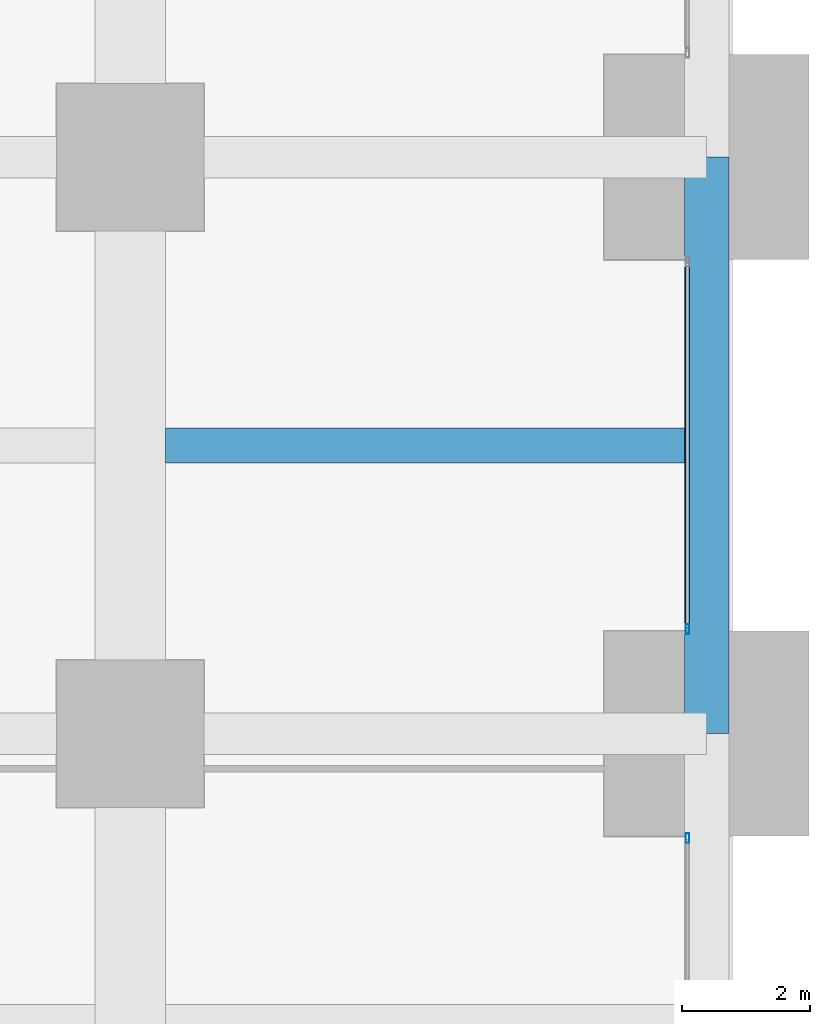
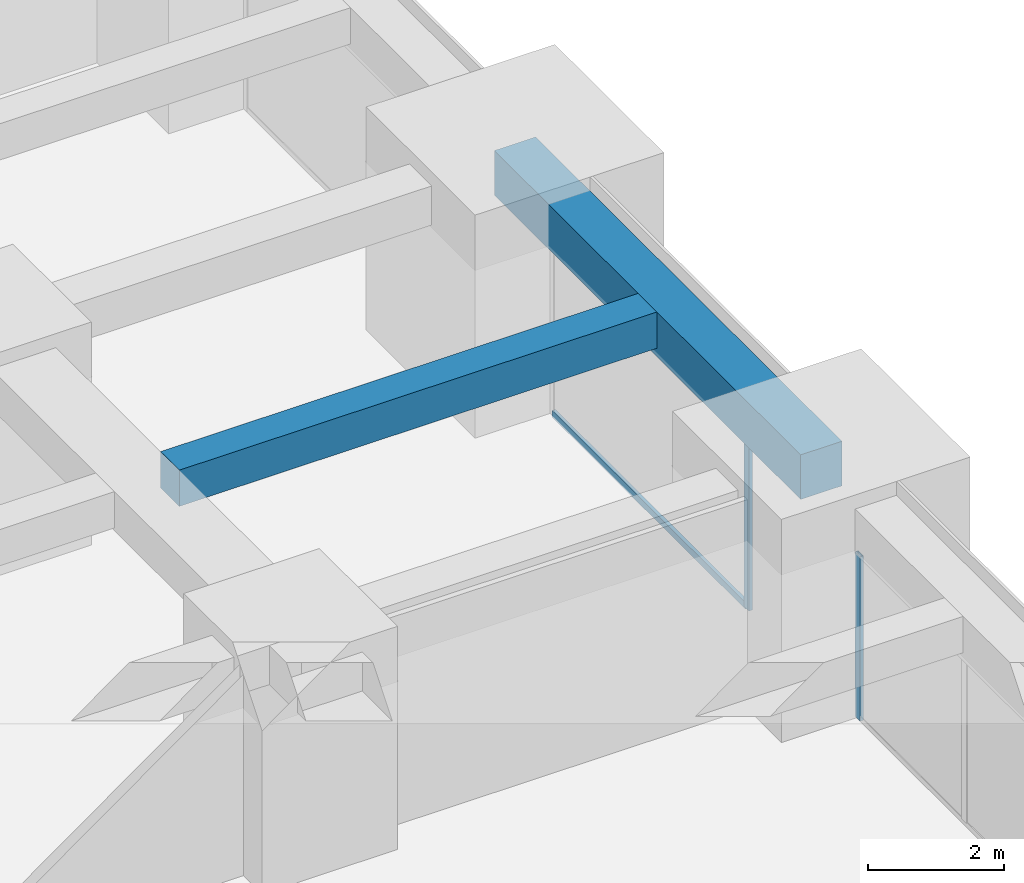
# One storey, part 21 of 50: 3 members, 2 beams, 2 elements without a shape of their own.
"""IFC4 building model written with IfcOpenShell, lengths in metres."""

from ifc_helpers import new_model, si_unit, direction, frame, origin, origin_2d, place, context, subcontext, project, spatial, rectangle, hollow_rectangle, extrude, material, material_profile, profile_set, type_object, element, aggregate, save


model = new_model("IFC4")

# Units and contexts
model_context = context("Model", 3, precision=1e-05, world=origin(), true_north=direction((0.0, 1.0)))
body_context = subcontext(model_context, "Body", "Model", "MODEL_VIEW")
ifc_project = project(units=[si_unit("LENGTHUNIT", "METRE"), si_unit("AREAUNIT", "SQUARE_METRE"), si_unit("VOLUMEUNIT", "CUBIC_METRE"), si_unit("PLANEANGLEUNIT", "RADIAN"), si_unit("MASSUNIT", "GRAM", prefix="KILO")], contexts=[model_context])

# Site, building, storey
site_placement = place(None, origin())
site = spatial("IfcSite", under=ifc_project, at=site_placement, CompositionType="ELEMENT")
building_placement = place(site_placement, origin())
building = spatial("IfcBuilding", under=site, at=building_placement, Name="Zorevar Civic Tower", CompositionType="ELEMENT")
storey_placement = place(building_placement, frame((0.0, 0.0, 85.0)))
storey = spatial("IfcBuildingStorey", under=building, at=storey_placement, Name="L20", CompositionType="ELEMENT", Elevation=85.0)

# Beam
ifc_material_1 = material(Name="Concrete C50/60", Category="concrete")
ifc_material_profile_1 = material_profile(ifc_material_1, rectangle(XDim=0.550048828125, YDim=0.64990234375, at=origin_2d()), Name="RC 550x650")
ifc_profile_set_1 = profile_set([ifc_material_profile_1], Name="Concrete C50/60")
beam_type_1 = type_object("IfcBeamType", Name="Beam RC 550x650", PredefinedType="BEAM", material=ifc_profile_set_1)
beam_1_placement = place(storey_placement, frame((54.550048828125, 22.5, 3.425048828125), z_axis=(1.0, 0.0, 0.0), x_axis=(0.0, 1.0, 0.0)))
element("IfcBeam", 1, at=beam_1_placement, inside=storey, type_object=beam_type_1, Name="Secondary beam L21", PredefinedType="BEAM", context=body_context, shape_type="SweptSolid", body=[
    extrude(rectangle(XDim=0.550048828125, YDim=0.64990234375, at=origin_2d()), origin(), (0.0, 0.0, 1.0), 8.099853515625),
])

# Curtain wall, member
ifc_material_2 = material(Name="Dark grey solar-control glass in black aluminium frame", Category="aluminium")
curtain_wall_type = type_object("IfcCurtainWallType", Name="Curtain wall CW3 mid zone", PredefinedType="NOTDEFINED", material=ifc_material_2)
curtain_wall_1_placement = place(storey_placement, origin())
curtain_wall_1 = element("IfcCurtainWall", 2, at=curtain_wall_1_placement, inside=storey, type_object=curtain_wall_type, Name="CW3 L20", PredefinedType="NOTDEFINED")
ifc_material_3 = material(Name="Aluminium, black anodised", Category="aluminium")
ifc_material_profile_2 = material_profile(ifc_material_3, hollow_rectangle(XDim=0.06005859375, YDim=0.14990234375, WallThickness=0.00390625, at=origin_2d()), Name="AL 150x60x4")
ifc_profile_set_2 = profile_set([ifc_material_profile_2], Name="Aluminium, black anodised")
member_type_1 = type_object("IfcMemberType", Name="CW3 mullion AL 150x60x4", PredefinedType="MULLION", material=ifc_profile_set_2)
member_1_placement = place(storey_placement, frame((62.699951171875, 16.3701171875, 0.0), z_axis=(0.0, 0.0, 1.0), x_axis=(-1.0, 0.0, 0.0)))
member_1 = element("IfcMember", 3, at=member_1_placement, type_object=member_type_1, Name="CW3 mullion 3", PredefinedType="MULLION", context=body_context, shape_type="SweptSolid", body=[
    extrude(hollow_rectangle(XDim=0.06005859375, YDim=0.14990234375, WallThickness=0.00390625, at=origin_2d()), origin(), (0.0, 0.0, 1.0), 2.949951171875),
])
aggregate(curtain_wall_1, [member_1])

# Curtain wall, members
curtain_wall_2_placement = place(storey_placement, origin())
curtain_wall_2 = element("IfcCurtainWall", 4, at=curtain_wall_2_placement, inside=storey, type_object=curtain_wall_type, Name="CW3 L20", PredefinedType="NOTDEFINED")
member_2_placement = place(storey_placement, frame((62.699951171875, 19.6298828125, 0.0), z_axis=(0.0, 0.0, 1.0), x_axis=(-1.0, 0.0, 0.0)))
member_2 = element("IfcMember", 5, at=member_2_placement, type_object=member_type_1, Name="CW3 mullion 1", PredefinedType="MULLION", context=body_context, shape_type="SweptSolid", body=[
    extrude(hollow_rectangle(XDim=0.06005859375, YDim=0.14990234375, WallThickness=0.00390625, at=origin_2d()), origin(), (0.0, 0.0, 1.0), 2.949951171875),
])
ifc_material_4 = material(Name="Aluminium, black anodised", Category="aluminium")
ifc_material_profile_3 = material_profile(ifc_material_4, hollow_rectangle(XDim=0.06005859375, YDim=0.1201171875, WallThickness=0.0029296875, at=origin_2d()), Name="AL 120x60x3")
ifc_profile_set_3 = profile_set([ifc_material_profile_3], Name="Aluminium, black anodised")
member_type_2 = type_object("IfcMemberType", Name="CW3 transom AL 120x60x3", PredefinedType="USERDEFINED", material=ifc_profile_set_3)
member_3_placement = place(storey_placement, frame((62.699951171875, 19.659912109375, 0.030029296875), z_axis=(0.0, 1.0, 0.0), x_axis=(-1.0, 0.0, 0.0)))
member_3 = element("IfcMember", 6, at=member_3_placement, type_object=member_type_2, Name="CW3 sill transom", ObjectType="TRANSOM", PredefinedType="USERDEFINED", context=body_context, shape_type="SweptSolid", body=[
    extrude(hollow_rectangle(XDim=0.06005859375, YDim=0.1201171875, WallThickness=0.0029296875, at=origin_2d()), origin(), (0.0, 0.0, 1.0), 5.68017578125),
])
aggregate(curtain_wall_2, [member_2, member_3])

# Beam
ifc_material_5 = material(Name="Concrete C50/60", Category="concrete")
ifc_material_profile_4 = material_profile(ifc_material_5, rectangle(XDim=0.699951171875, YDim=0.800048828125, at=origin_2d()), Name="RC 700x800")
ifc_profile_set_4 = profile_set([ifc_material_profile_4], Name="Concrete C50/60")
beam_type_2 = type_object("IfcBeamType", Name="Edge beam RC 700x800", PredefinedType="SPANDREL", material=ifc_profile_set_4)
beam_2_placement = place(storey_placement, frame((63.0, 18.0, 3.35009765625), z_axis=(0.0, 1.0, 0.0), x_axis=(-1.0, 0.0, 0.0)))
element("IfcBeam", 7, at=beam_2_placement, inside=storey, type_object=beam_type_2, Name="Edge beam L21", PredefinedType="SPANDREL", context=body_context, shape_type="SweptSolid", body=[
    extrude(rectangle(XDim=0.699951171875, YDim=0.800048828125, at=origin_2d()), origin(), (0.0, 0.0, 1.0), 9.0),
])

save(model, "model.ifc")
